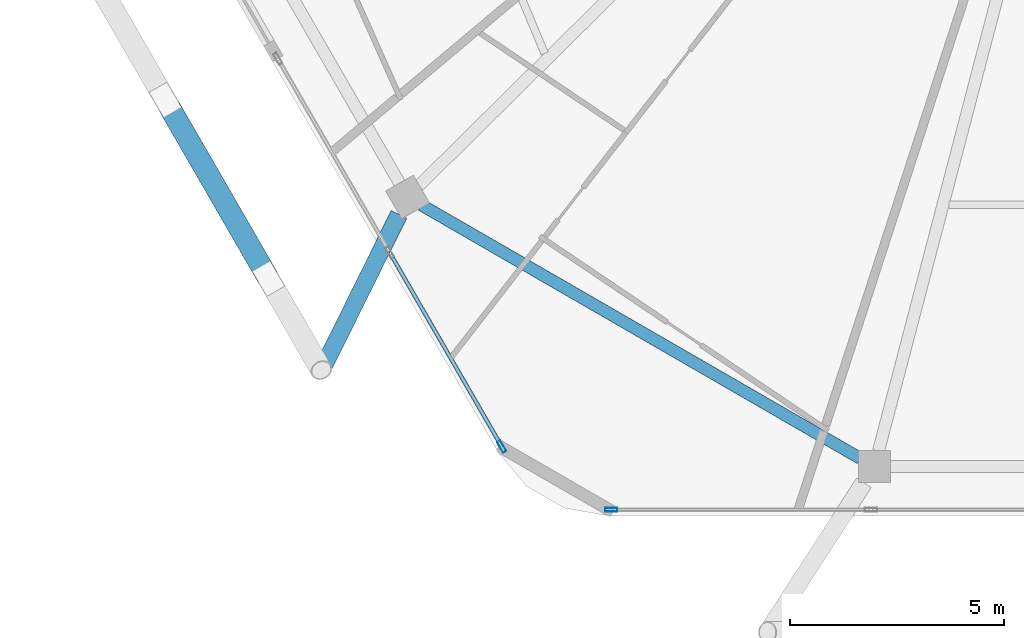
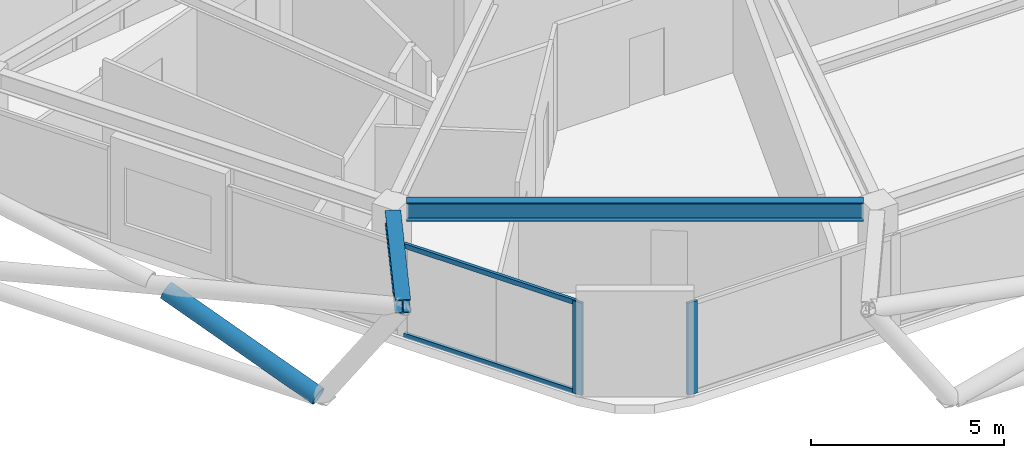
# One storey, part 2 of 23: 5 members, 2 beams, 2 elements without a shape of their own.
"""IFC4 building model written with IfcOpenShell, lengths in metres."""

from ifc_helpers import new_model, si_unit, direction, frame, origin, origin_2d, place, context, subcontext, project, spatial, hollow_rectangle, hollow_circle, i_section, extrude, material, material_profile, profile_set, type_object, element, aggregate, save


model = new_model("IFC4")

# Units and contexts
model_context = context("Model", 3, precision=1e-05, world=origin(), true_north=direction((0.0, 1.0)))
body_context = subcontext(model_context, "Body", "Model", "MODEL_VIEW")
ifc_project = project(units=[si_unit("LENGTHUNIT", "METRE"), si_unit("AREAUNIT", "SQUARE_METRE"), si_unit("VOLUMEUNIT", "CUBIC_METRE"), si_unit("PLANEANGLEUNIT", "RADIAN"), si_unit("MASSUNIT", "GRAM", prefix="KILO")], contexts=[model_context])

# Site, building, storey
site_placement = place(None, origin())
site = spatial("IfcSite", under=ifc_project, at=site_placement, CompositionType="ELEMENT")
building_placement = place(site_placement, origin())
building = spatial("IfcBuilding", under=site, at=building_placement, Name="Zuhravey Tower", CompositionType="ELEMENT")
storey_placement = place(building_placement, frame((0.0, 0.0, 353.800048828125)))
storey = spatial("IfcBuildingStorey", under=building, at=storey_placement, Name="L90", CompositionType="ELEMENT", Elevation=353.800048828125)

# Curtain wall, member
ifc_material_1 = material(Name="Thermally broken anodised aluminium", Category="aluminium")
curtain_wall_type = type_object("IfcCurtainWallType", Name="Zone 3-4 High-Rise Curtain Wall CW4", PredefinedType="NOTDEFINED", material=ifc_material_1)
curtain_wall_1_placement = place(storey_placement, origin())
curtain_wall_1 = element("IfcCurtainWall", 1, at=curtain_wall_1_placement, inside=storey, type_object=curtain_wall_type, Name="L90 CW4 CW-L90-F5-1", PredefinedType="NOTDEFINED")
ifc_material_2 = material(Name="Anodised aluminium", Category="aluminium")
ifc_material_profile_1 = material_profile(ifc_material_2, hollow_rectangle(XDim=0.090087890625, YDim=0.284912109375, WallThickness=0.0048828125, at=origin_2d()), Name="ALU-RHS-90x285x5")
ifc_profile_set_1 = profile_set([ifc_material_profile_1], Name="Anodised aluminium")
member_type_1 = type_object("IfcMemberType", Name="Curtain-Wall Mullion 90x180", PredefinedType="MULLION", material=ifc_profile_set_1)
member_1_placement = place(storey_placement, frame((23.8056640625, 7.92578125, 0.0), z_axis=(0.0, 0.0, 1.0), x_axis=(0.0, -1.0, 0.0)))
member_1 = element("IfcMember", 2, at=member_1_placement, type_object=member_type_1, Name="CW4 mullion 5", PredefinedType="MULLION", context=body_context, shape_type="SweptSolid", body=[
    extrude(hollow_rectangle(XDim=0.090087890625, YDim=0.284912109375, WallThickness=0.0048828125, at=origin_2d()), origin(), (0.0, 0.0, 1.0), 2.921875),
])
aggregate(curtain_wall_1, [member_1])

# Curtain wall, members
curtain_wall_2_placement = place(storey_placement, origin())
curtain_wall_2 = element("IfcCurtainWall", 3, at=curtain_wall_2_placement, inside=storey, type_object=curtain_wall_type, Name="L90 CW4 CW-L90-F4-1", PredefinedType="NOTDEFINED")
member_2_placement = place(storey_placement, frame((21.248291015625, 9.40234375, 0.0), z_axis=(0.0, 0.0, 1.0), x_axis=(-0.866028584979, -0.49999448997, 0.0)))
member_2 = element("IfcMember", 4, at=member_2_placement, type_object=member_type_1, Name="CW4 mullion 1", PredefinedType="MULLION", context=body_context, shape_type="SweptSolid", body=[
    extrude(hollow_rectangle(XDim=0.090087890625, YDim=0.284912109375, WallThickness=0.0048828125, at=origin_2d()), origin(), (0.0, 0.0, 1.0), 2.921875),
])
ifc_material_profile_2 = material_profile(ifc_material_2, hollow_rectangle(XDim=0.090087890625, YDim=0.14990234375, WallThickness=0.0048828125, at=origin_2d()), Name="ALU-RHS-90x150x5")
ifc_profile_set_2 = profile_set([ifc_material_profile_2], Name="Anodised aluminium")
member_type_2 = type_object("IfcMemberType", Name="Curtain-Wall Transom 90x150", PredefinedType="USERDEFINED", material=ifc_profile_set_2)
member_3_placement = place(storey_placement, frame((21.225830078125, 9.44140625, 0.044921875), z_axis=(-0.499990707328, 0.866030768845, 0.0), x_axis=(-0.866030768845, -0.499990707328, 0.0)))
member_3 = element("IfcMember", 5, at=member_3_placement, type_object=member_type_2, Name="CW4 transom 1.1", ObjectType="TRANSOM", PredefinedType="USERDEFINED", context=body_context, shape_type="SweptSolid", body=[
    extrude(hollow_rectangle(XDim=0.090087890625, YDim=0.14990234375, WallThickness=0.0048828125, at=origin_2d()), origin(), (0.0, 0.0, 1.0), 5.14697265625),
])
member_4_placement = place(storey_placement, frame((21.225830078125, 9.44140625, 2.876953125), z_axis=(-0.499990707328, 0.866030768845, 0.0), x_axis=(-0.866030768845, -0.499990707328, 0.0)))
member_4 = element("IfcMember", 6, at=member_4_placement, type_object=member_type_2, Name="CW4 transom 1.2", ObjectType="TRANSOM", PredefinedType="USERDEFINED", context=body_context, shape_type="SweptSolid", body=[
    extrude(hollow_rectangle(XDim=0.090087890625, YDim=0.14990234375, WallThickness=0.0048828125, at=origin_2d()), origin(), (0.0, 0.0, 1.0), 5.14697265625),
])
aggregate(curtain_wall_2, [member_2, member_3, member_4])

# Beam
ifc_material_3 = material(Name="Steel SM460", Category="steel")
ifc_material_profile_3 = material_profile(ifc_material_3, i_section(OverallWidth=0.406982421875, OverallDepth=0.427978515625, WebThickness=0.02001953125, FlangeThickness=0.034912109375, at=origin_2d()), Name="H-428x407x20x35")
ifc_profile_set_3 = profile_set([ifc_material_profile_3], Name="Steel SM460")
beam_type_1 = type_object("IfcBeamType", Name="Exoskeleton Node Tie Beam H428x407", PredefinedType="BEAM", material=ifc_profile_set_3)
beam_1_placement = place(storey_placement, frame((18.84375, 14.830810546875, 3.135986328125), z_axis=(-0.443674177623, -0.89618816334, 0.0), x_axis=(0.89618816334, -0.443674177623, 0.0)))
element("IfcBeam", 7, at=beam_1_placement, inside=storey, type_object=beam_type_1, Name="L90 Exoskeleton Node Tie NT1-08", PredefinedType="BEAM", context=body_context, shape_type="SweptSolid", body=[
    extrude(i_section(OverallWidth=0.406982421875, OverallDepth=0.427978515625, WebThickness=0.02001953125, FlangeThickness=0.034912109375, at=origin_2d()), origin(), (0.0, 0.0, 1.0), 4.059814453125),
])

# Member
ifc_material_4 = material(Name="Steel SM355", Category="steel")
ifc_material_profile_4 = material_profile(ifc_material_4, hollow_circle(Radius=0.25390625, WallThickness=0.02490234375, at=origin_2d()), Name="CHS-508.0x25")
ifc_profile_set_4 = profile_set([ifc_material_profile_4], Name="Steel SM355")
member_type_3 = type_object("IfcMemberType", Name="Exoskeleton Zone 4 Diagrid CHS508x25", PredefinedType="BRACE", material=ifc_profile_set_4)
member_5_placement = place(storey_placement, frame((15.769775390625, 13.37158203125, -0.579833984375), z_axis=(-0.466300111598, 0.807666230221, 0.360887055026), x_axis=(-0.866028284225, -0.499995010897, 0.0)))
element("IfcMember", 8, at=member_5_placement, inside=storey, type_object=member_type_3, Name="L90 Face 4 Split Diagrid Brace 3A", PredefinedType="BRACE", context=body_context, shape_type="SweptSolid", body=[
    extrude(hollow_circle(Radius=0.25390625, WallThickness=0.02490234375, at=origin_2d()), origin(), (0.0, 0.0, 1.0), 4.877685546875),
])

# Beam
ifc_material_profile_5 = material_profile(ifc_material_4, i_section(OverallWidth=0.280029296875, OverallDepth=0.580078125, WebThickness=0.011962890625, FlangeThickness=0.01904296875, at=origin_2d()), Name="H-580x280x12x19")
ifc_profile_set_5 = profile_set([ifc_material_profile_5], Name="Steel SM355")
beam_type_2 = type_object("IfcBeamType", Name="Perimeter Ring Beam H580x280", PredefinedType="BEAM", material=ifc_profile_set_5)
beam_2_placement = place(storey_placement, frame((19.37255859375, 15.04931640625, 3.06005859375), z_axis=(0.866030838723, -0.499990586292, 0.0), x_axis=(0.499990586292, 0.866030838723, 0.0)))
element("IfcBeam", 9, at=beam_2_placement, inside=storey, type_object=beam_type_2, Name="L90 PB4 BM-L90-PB-08", PredefinedType="BEAM", context=body_context, shape_type="SweptSolid", body=[
    extrude(i_section(OverallWidth=0.280029296875, OverallDepth=0.580078125, WebThickness=0.011962890625, FlangeThickness=0.01904296875, at=origin_2d()), origin(), (0.0, 0.0, 1.0), 11.848876953125),
])

save(model, "model.ifc")
